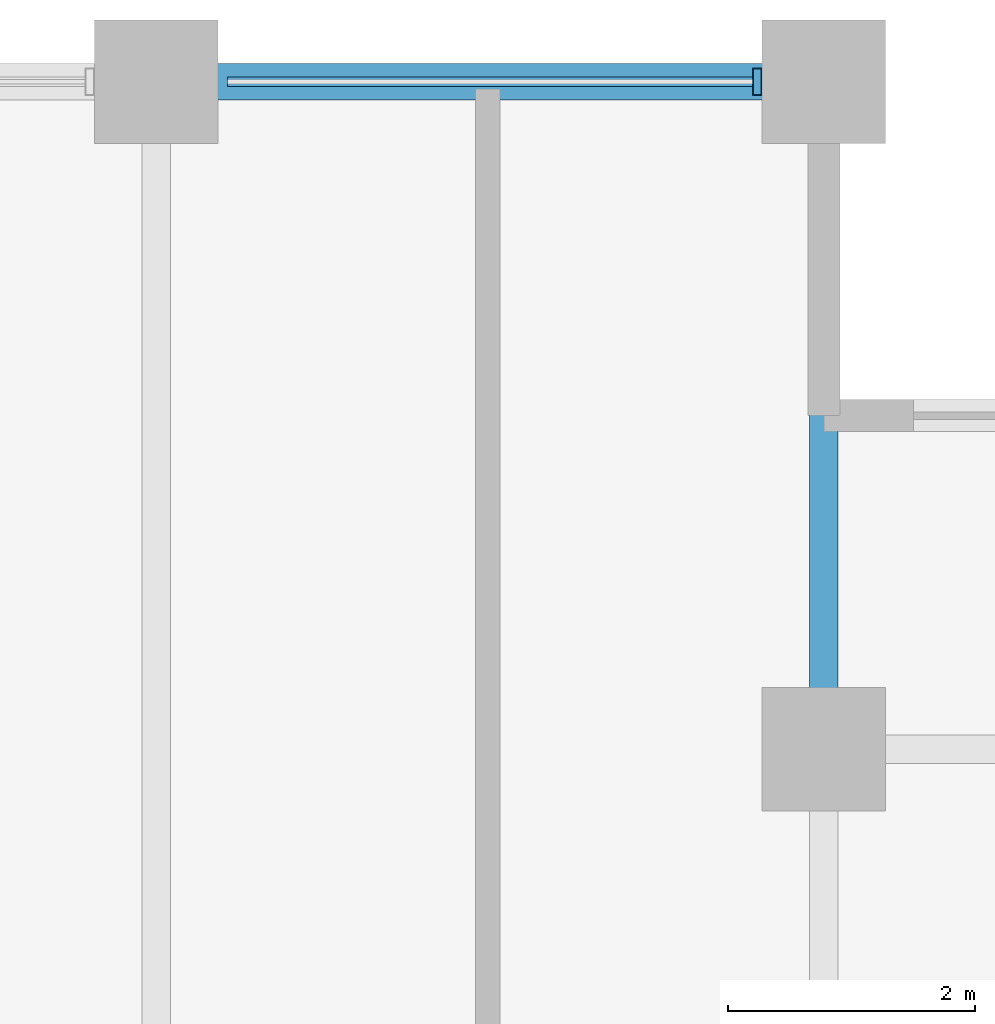
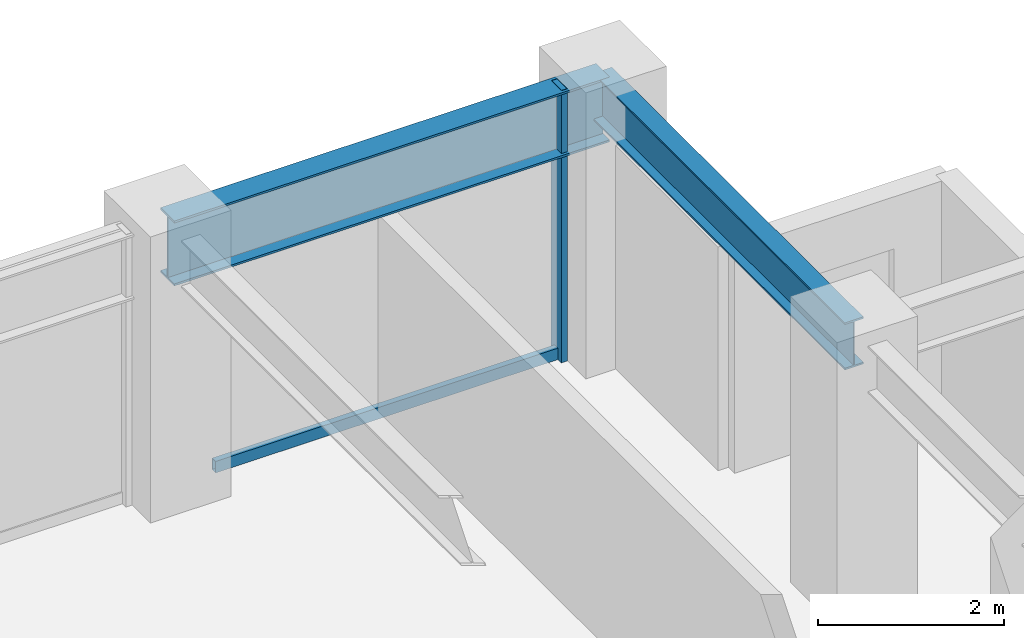
# One storey, part 19 of 29: 2 beams, 2 members, 1 element without a shape of its own.
"""IFC4 building model written with IfcOpenShell, lengths in metres."""

from ifc_helpers import new_model, si_unit, direction, frame, origin, origin_2d, place, context, subcontext, project, spatial, hollow_rectangle, i_section, extrude, material, layer, layer_set, material_profile, profile_set, type_object, element, aggregate, save


model = new_model("IFC4")

# Units and contexts
model_context = context("Model", 3, precision=1e-05, world=origin(), true_north=direction((0.0, 1.0)))
body_context = subcontext(model_context, "Body", "Model", "MODEL_VIEW")
ifc_project = project(units=[si_unit("LENGTHUNIT", "METRE"), si_unit("AREAUNIT", "SQUARE_METRE"), si_unit("VOLUMEUNIT", "CUBIC_METRE"), si_unit("PLANEANGLEUNIT", "RADIAN"), si_unit("MASSUNIT", "GRAM", prefix="KILO")], contexts=[model_context])

# Site, building, storey
site_placement = place(None, origin())
site = spatial("IfcSite", under=ifc_project, at=site_placement, CompositionType="ELEMENT")
building_placement = place(site_placement, origin())
building = spatial("IfcBuilding", under=site, at=building_placement, Name="Surkhivell Harbour Commons", CompositionType="ELEMENT")
storey_placement = place(building_placement, frame((0.0, 0.0, 154.5)))
storey = spatial("IfcBuildingStorey", under=building, at=storey_placement, Name="L40", CompositionType="ELEMENT", Elevation=154.5)

# Beams
ifc_material_1 = material(Name="Steel S355", Category="steel")
ifc_material_profile_1 = material_profile(ifc_material_1, i_section(OverallWidth=0.22998046875, OverallDepth=0.616943359375, WebThickness=0.01318359375, FlangeThickness=0.022216796875, at=origin_2d()), Name="UB610x229x140")
ifc_profile_set_1 = profile_set([ifc_material_profile_1], Name="Steel S355")
beam_type_1 = type_object("IfcBeamType", Name="BM-GRD-610B", PredefinedType="BEAM", material=ifc_profile_set_1)
beam_1_placement = place(storey_placement, frame((16.199951171875, 20.5, 3.261474609375), z_axis=(0.0, 1.0, 0.0), x_axis=(-1.0, 0.0, 0.0)))
element("IfcBeam", 1, at=beam_1_placement, inside=storey, type_object=beam_type_1, Name="L40 Floor Girder (16.2,20.5)", PredefinedType="BEAM", context=body_context, shape_type="SweptSolid", body=[
    extrude(i_section(OverallWidth=0.22998046875, OverallDepth=0.616943359375, WebThickness=0.01318359375, FlangeThickness=0.022216796875, at=origin_2d()), origin(), (0.0, 0.0, 1.0), 5.39990234375),
])
ifc_material_2 = material(Name="Steel S460", Category="steel")
ifc_material_profile_2 = material_profile(ifc_material_2, i_section(OverallWidth=0.2939453125, OverallDepth=0.85107421875, WebThickness=0.01611328125, FlangeThickness=0.02685546875, at=origin_2d()), Name="UB838x292x226")
ifc_profile_set_2 = profile_set([ifc_material_profile_2], Name="Steel S460")
beam_type_2 = type_object("IfcBeamType", Name="BM-SPN-838", PredefinedType="SPANDREL", material=ifc_profile_set_2)
beam_2_placement = place(storey_placement, frame((10.800048828125, 25.89990234375, 3.14453125), z_axis=(1.0, 0.0, 0.0), x_axis=(0.0, 1.0, 0.0)))
element("IfcBeam", 2, at=beam_2_placement, inside=storey, type_object=beam_type_2, Name="L40 Tube Spandrel (10.8,25.9)", PredefinedType="SPANDREL", context=body_context, shape_type="SweptSolid", body=[
    extrude(i_section(OverallWidth=0.2939453125, OverallDepth=0.85107421875, WebThickness=0.01611328125, FlangeThickness=0.02685546875, at=origin_2d()), origin(), (0.0, 0.0, 1.0), 5.39990234375),
])

# Curtain wall, members
ifc_material_3 = material(Name="Anodised pale-metal aluminium and insulated glazing", Category="aluminium")
ifc_layer = layer(ifc_material_3, 0.205078125)
ifc_layer_set = layer_set([ifc_layer], Name="Anodised pale-metal aluminium and insulated glazing")
curtain_wall_type = type_object("IfcCurtainWallType", Name="CW-SYS-Z2", PredefinedType="NOTDEFINED", material=ifc_layer_set)
curtain_wall_placement = place(storey_placement, origin())
curtain_wall = element("IfcCurtainWall", 3, at=curtain_wall_placement, inside=storey, type_object=curtain_wall_type, Name="L40 Curtain Wall CW-L40-E07S1", PredefinedType="NOTDEFINED")
ifc_material_4 = material(Name="Anodised pale-metal aluminium alloy 6063-T6", Category="aluminium")
ifc_material_profile_3 = material_profile(ifc_material_4, hollow_rectangle(XDim=0.074951171875, YDim=0.219970703125, WallThickness=0.00390625, at=origin_2d()), Name="ALU-MULL-75x220")
ifc_profile_set_3 = profile_set([ifc_material_profile_3], Name="Anodised pale-metal aluminium alloy 6063-T6")
member_type_1 = type_object("IfcMemberType", Name="CWM-220", PredefinedType="MULLION", material=ifc_profile_set_3)
member_1_placement = place(storey_placement, frame((15.660400390625, 25.89990234375, 0.0), z_axis=(0.0, 0.0, 1.0), x_axis=(-1.0, 0.0, 0.0)))
member_1 = element("IfcMember", 4, at=member_1_placement, type_object=member_type_1, Name="CW-Z2 mullion 1", PredefinedType="MULLION", context=body_context, shape_type="SweptSolid", body=[
    extrude(hollow_rectangle(XDim=0.074951171875, YDim=0.219970703125, WallThickness=0.00390625, at=origin_2d()), origin(), (0.0, 0.0, 1.0), 3.570068359375),
])
ifc_material_profile_4 = material_profile(ifc_material_4, hollow_rectangle(XDim=0.074951171875, YDim=0.14990234375, WallThickness=0.00341796875, at=origin_2d()), Name="ALU-TRAN-75x150")
ifc_profile_set_4 = profile_set([ifc_material_profile_4], Name="Anodised pale-metal aluminium alloy 6063-T6")
member_type_2 = type_object("IfcMemberType", Name="CWT-150", PredefinedType="USERDEFINED", material=ifc_profile_set_4)
member_2_placement = place(storey_placement, frame((15.623046875, 25.89990234375, 0.074951171875), z_axis=(-1.0, 0.0, 0.0), x_axis=(0.0, -1.0, 0.0)))
member_2 = element("IfcMember", 5, at=member_2_placement, type_object=member_type_2, Name="CW-Z2 transom 1.1", ObjectType="TRANSOM", PredefinedType="USERDEFINED", context=body_context, shape_type="SweptSolid", body=[
    extrude(hollow_rectangle(XDim=0.074951171875, YDim=0.14990234375, WallThickness=0.00341796875, at=origin_2d()), origin(), (0.0, 0.0, 1.0), 4.24609375),
])
aggregate(curtain_wall, [member_1, member_2])

save(model, "model.ifc")
